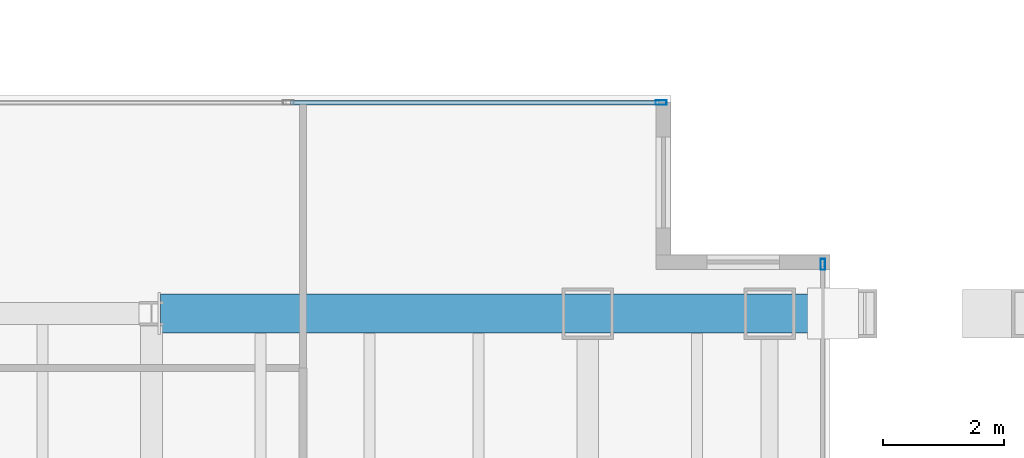
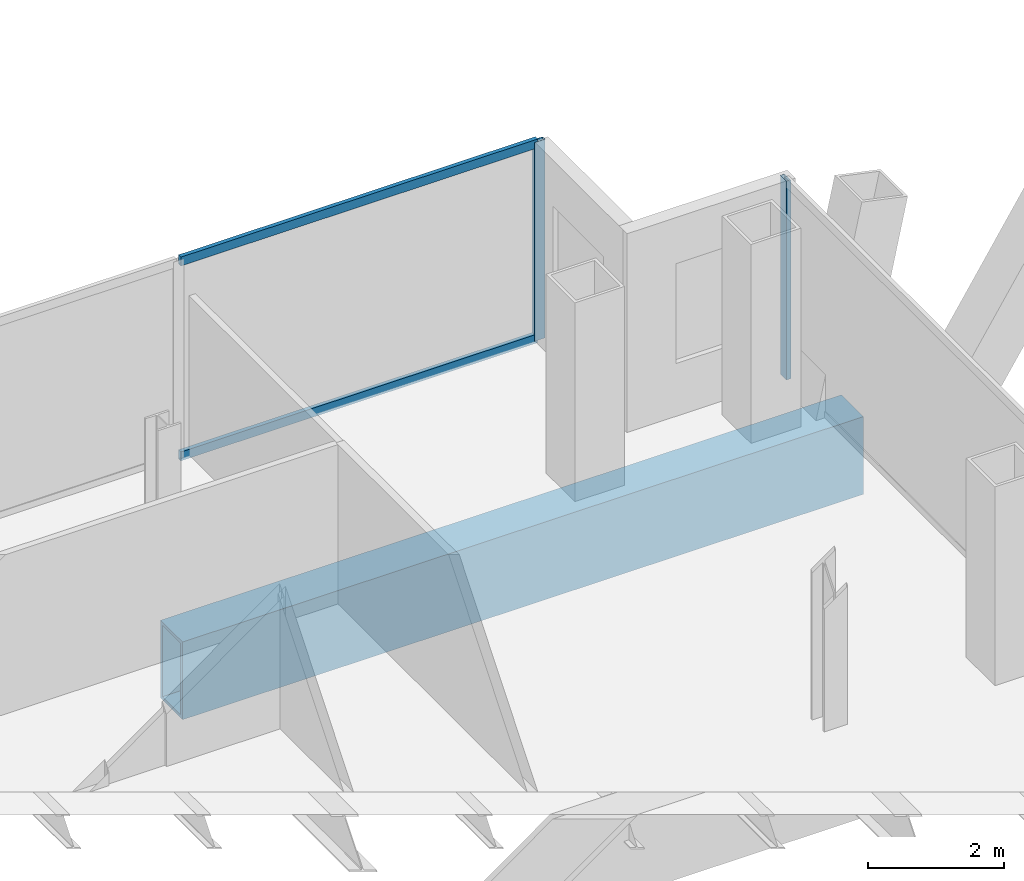
# One storey, part 15 of 23: 4 members, 1 beam, 2 elements without a shape of their own.
"""IFC4 building model written with IfcOpenShell, lengths in metres."""

from ifc_helpers import new_model, si_unit, direction, frame, origin, origin_2d, place, context, subcontext, project, spatial, hollow_rectangle, extrude, material, material_profile, profile_set, type_object, element, aggregate, save


model = new_model("IFC4")

# Units and contexts
model_context = context("Model", 3, precision=1e-05, world=origin(), true_north=direction((0.0, 1.0)))
body_context = subcontext(model_context, "Body", "Model", "MODEL_VIEW")
ifc_project = project(units=[si_unit("LENGTHUNIT", "METRE"), si_unit("AREAUNIT", "SQUARE_METRE"), si_unit("VOLUMEUNIT", "CUBIC_METRE"), si_unit("PLANEANGLEUNIT", "RADIAN"), si_unit("MASSUNIT", "GRAM", prefix="KILO")], contexts=[model_context])

# Site, building, storey
site_placement = place(None, origin())
site = spatial("IfcSite", under=ifc_project, at=site_placement, CompositionType="ELEMENT")
building_placement = place(site_placement, origin())
building = spatial("IfcBuilding", under=site, at=building_placement, Name="Cobrela Telecom Tower", CompositionType="ELEMENT")
storey_placement = place(building_placement, frame((0.0, 0.0, 159.949951171875)))
storey = spatial("IfcBuildingStorey", under=building, at=storey_placement, Name="L40", CompositionType="ELEMENT", Elevation=159.949951171875)

# Beam
ifc_material_1 = material(Name="Steel ASTM A572 Grade 50", Category="steel")
ifc_material_profile_1 = material_profile(ifc_material_1, hollow_rectangle(XDim=0.64990234375, YDim=1.39990234375, WallThickness=0.054931640625, at=origin_2d()), Name="BOX 1400x650x55")
ifc_profile_set_1 = profile_set([ifc_material_profile_1], Name="Steel ASTM A572 Grade 50")
beam_type = type_object("IfcBeamType", Name="BM-TRG-1400", PredefinedType="USERDEFINED", material=ifc_profile_set_1)
beam_placement = place(storey_placement, frame((36.14990234375, 21.60009765625, -0.969970703125), z_axis=(1.0, 0.0, 0.0), x_axis=(0.0, 1.0, 0.0)))
element("IfcBeam", 1, at=beam_placement, inside=storey, type_object=beam_type, Name="L40 Sky Pool Mega-Strut Footing Transfer Beam 2", ObjectType="GIRDER", PredefinedType="USERDEFINED", context=body_context, shape_type="SweptSolid", body=[
    extrude(hollow_rectangle(XDim=0.64990234375, YDim=1.39990234375, WallThickness=0.054931640625, at=origin_2d()), origin(), (0.0, 0.0, 1.0), 11.60009765625),
])

# Curtain wall, member
ifc_material_2 = material(Name="Anodized Bronze Aluminium 6063-T6", Category="aluminium")
curtain_wall_type = type_object("IfcCurtainWallType", Name="CW-SYS-TEL", PredefinedType="USERDEFINED", material=ifc_material_2)
curtain_wall_1_placement = place(storey_placement, origin())
curtain_wall_1 = element("IfcCurtainWall", 2, at=curtain_wall_1_placement, inside=storey, type_object=curtain_wall_type, Name="L40 Unitised Bronze Curtain Wall 11", ObjectType="UNITISED CURTAIN WALL", PredefinedType="USERDEFINED")
ifc_material_profile_2 = material_profile(ifc_material_2, hollow_rectangle(XDim=0.074951171875, YDim=0.179931640625, WallThickness=0.00390625, at=origin_2d()), Name="ALU 75x180x4")
ifc_profile_set_2 = profile_set([ifc_material_profile_2], Name="Anodized Bronze Aluminium 6063-T6")
member_type_1 = type_object("IfcMemberType", Name="CW-SYS-TEL-MUL", PredefinedType="MULLION", material=ifc_profile_set_2)
member_1_placement = place(storey_placement, frame((44.41259765625, 25.080078125, 0.0), z_axis=(0.0, 0.0, 1.0), x_axis=(0.0, 1.0, 0.0)))
member_1 = element("IfcMember", 3, at=member_1_placement, type_object=member_type_1, Name="CW-TEL mullion 4", PredefinedType="MULLION", context=body_context, shape_type="SweptSolid", body=[
    extrude(hollow_rectangle(XDim=0.074951171875, YDim=0.179931640625, WallThickness=0.00390625, at=origin_2d()), origin(), (0.0, 0.0, 1.0), 3.580078125),
])

curtain_wall_2_placement = place(storey_placement, origin())
curtain_wall_2 = element("IfcCurtainWall", 4, at=curtain_wall_2_placement, inside=storey, type_object=curtain_wall_type, Name="L40 Unitised Bronze Curtain Wall 14", ObjectType="UNITISED CURTAIN WALL", PredefinedType="USERDEFINED")
member_2_placement = place(storey_placement, frame((47.080078125, 22.41259765625, 0.0), z_axis=(0.0, 0.0, 1.0), x_axis=(1.0, 0.0, 0.0)))
member_2 = element("IfcMember", 5, at=member_2_placement, type_object=member_type_1, Name="CW-TEL mullion 1", PredefinedType="MULLION", context=body_context, shape_type="SweptSolid", body=[
    extrude(hollow_rectangle(XDim=0.074951171875, YDim=0.179931640625, WallThickness=0.00390625, at=origin_2d()), origin(), (0.0, 0.0, 1.0), 3.580078125),
])
aggregate(curtain_wall_2, [member_2])

# Member
ifc_material_profile_3 = material_profile(ifc_material_2, hollow_rectangle(XDim=0.070068359375, YDim=0.159912109375, WallThickness=0.00390625, at=origin_2d()), Name="ALU 70x160x4")
ifc_profile_set_3 = profile_set([ifc_material_profile_3], Name="Anodized Bronze Aluminium 6063-T6")
member_type_2 = type_object("IfcMemberType", Name="CW-SYS-TEL-TRN", PredefinedType="USERDEFINED", material=ifc_profile_set_3)
member_3_placement = place(storey_placement, frame((38.297607421875, 25.080078125, 0.03515625), z_axis=(1.0, 0.0, 0.0), x_axis=(0.0, 1.0, 0.0)))
member_3 = element("IfcMember", 6, at=member_3_placement, type_object=member_type_2, Name="CW-TEL transom 3.1", ObjectType="TRANSOM", PredefinedType="USERDEFINED", context=body_context, shape_type="SweptSolid", body=[
    extrude(hollow_rectangle(XDim=0.070068359375, YDim=0.159912109375, WallThickness=0.00390625, at=origin_2d()), origin(), (0.0, 0.0, 1.0), 6.077392578125),
])

member_4_placement = place(storey_placement, frame((38.297607421875, 25.080078125, 3.545166015625), z_axis=(1.0, 0.0, 0.0), x_axis=(0.0, 1.0, 0.0)))
member_4 = element("IfcMember", 7, at=member_4_placement, type_object=member_type_2, Name="CW-TEL transom 3.2", ObjectType="TRANSOM", PredefinedType="USERDEFINED", context=body_context, shape_type="SweptSolid", body=[
    extrude(hollow_rectangle(XDim=0.070068359375, YDim=0.159912109375, WallThickness=0.00390625, at=origin_2d()), origin(), (0.0, 0.0, 1.0), 6.077392578125),
])

aggregate(curtain_wall_1, [member_1, member_3, member_4])

save(model, "model.ifc")
